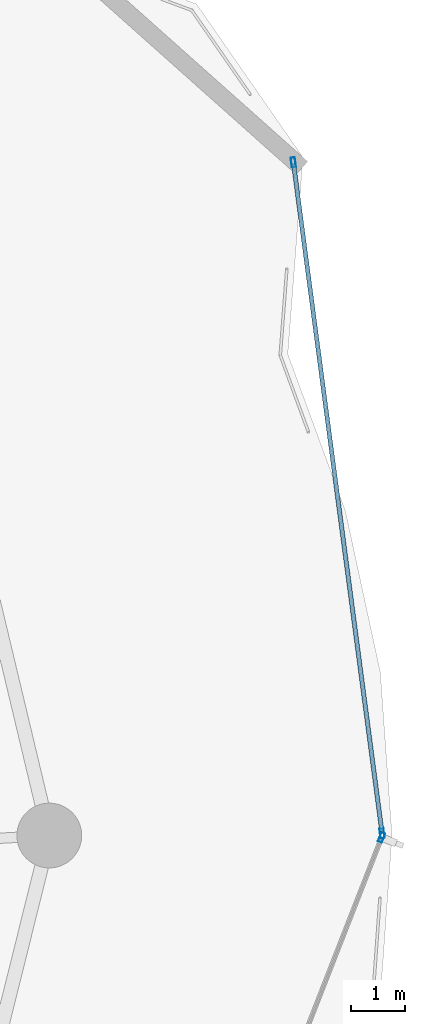
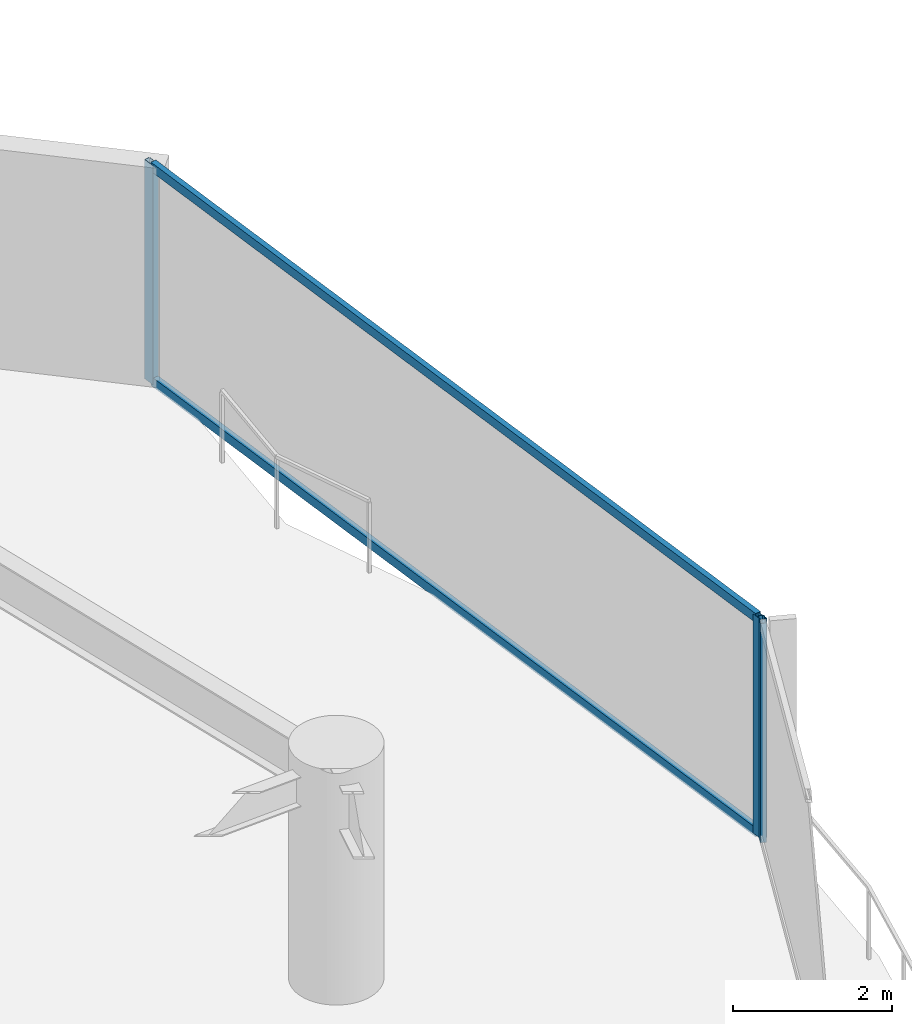
# One storey, part 24 of 33: 5 members, 2 elements without a shape of their own.
"""IFC4 building model written with IfcOpenShell, lengths in metres."""

from ifc_helpers import new_model, si_unit, direction, frame, origin, origin_2d, place, context, subcontext, project, spatial, hollow_rectangle, extrude, material, layer, layer_set, material_profile, profile_set, type_object, element, aggregate, save


model = new_model("IFC4")

# Units and contexts
model_context = context("Model", 3, precision=1e-05, world=origin(), true_north=direction((0.0, 1.0)))
body_context = subcontext(model_context, "Body", "Model", "MODEL_VIEW")
ifc_project = project(units=[si_unit("LENGTHUNIT", "METRE"), si_unit("AREAUNIT", "SQUARE_METRE"), si_unit("VOLUMEUNIT", "CUBIC_METRE"), si_unit("PLANEANGLEUNIT", "RADIAN"), si_unit("MASSUNIT", "GRAM", prefix="KILO")], contexts=[model_context])

# Site, building, storey
site_placement = place(None, origin())
site = spatial("IfcSite", under=ifc_project, at=site_placement, CompositionType="ELEMENT")
building_placement = place(site_placement, origin())
building = spatial("IfcBuilding", under=site, at=building_placement, Name="Kazevale Care Tower and Concert Hall", CompositionType="ELEMENT")
storey_placement = place(building_placement, frame((0.0, 0.0, 149.39990234375)))
storey = spatial("IfcBuildingStorey", under=building, at=storey_placement, Name="L39", CompositionType="ELEMENT", Elevation=149.39990234375)

# Curtain wall, member
ifc_material_1 = material(Name="Aluminium 6063-T6 and Low-E Glass", Category="aluminium")
ifc_layer = layer(ifc_material_1, 0.179931640625)
ifc_layer_set = layer_set([ifc_layer], Name="Aluminium 6063-T6 and Low-E Glass")
curtain_wall_type = type_object("IfcCurtainWallType", Name="Waist & Upper Residential Curtain Wall CW-4", PredefinedType="NOTDEFINED", material=ifc_layer_set)
curtain_wall_1_placement = place(storey_placement, origin())
curtain_wall_1 = element("IfcCurtainWall", 1, at=curtain_wall_1_placement, inside=storey, type_object=curtain_wall_type, Name="cw:L39:f01", PredefinedType="NOTDEFINED")
ifc_material_2 = material(Name="Aluminium 6063-T6", Category="aluminium")
ifc_material_profile_1 = material_profile(ifc_material_2, hollow_rectangle(XDim=0.080078125, YDim=0.179931640625, WallThickness=0.0048828125, at=origin_2d()), Name="ALU80x180x5")
ifc_profile_set_1 = profile_set([ifc_material_profile_1], Name="Aluminium 6063-T6")
member_type_1 = type_object("IfcMemberType", Name="CW-4 Mullion ALU80x180x5", PredefinedType="MULLION", material=ifc_profile_set_1)
member_1_placement = place(storey_placement, frame((79.205322265625, 37.962646484375, 0.0), z_axis=(0.0, 0.0, 1.0), x_axis=(0.931351746651, -0.36412075471, 0.0)))
member_1 = element("IfcMember", 2, at=member_1_placement, type_object=member_type_1, Name="CW-4 mullion 1", PredefinedType="MULLION", context=body_context, shape_type="SweptSolid", body=[
    extrude(hollow_rectangle(XDim=0.080078125, YDim=0.179931640625, WallThickness=0.0048828125, at=origin_2d()), origin(), (0.0, 0.0, 1.0), 3.360107421875),
])
aggregate(curtain_wall_1, [member_1])

# Curtain wall, members
curtain_wall_2_placement = place(storey_placement, origin())
curtain_wall_2 = element("IfcCurtainWall", 3, at=curtain_wall_2_placement, inside=storey, type_object=curtain_wall_type, Name="cw:L39:f18", PredefinedType="NOTDEFINED")
member_2_placement = place(storey_placement, frame((77.5712890625, 50.471435546875, 0.0), z_axis=(0.0, 0.0, 1.0), x_axis=(0.991374005382, 0.131063272711, 0.0)))
member_2 = element("IfcMember", 4, at=member_2_placement, type_object=member_type_1, Name="CW-4 mullion 1", PredefinedType="MULLION", context=body_context, shape_type="SweptSolid", body=[
    extrude(hollow_rectangle(XDim=0.080078125, YDim=0.179931640625, WallThickness=0.0048828125, at=origin_2d()), origin(), (0.0, 0.0, 1.0), 3.360107421875),
])
member_3_placement = place(storey_placement, frame((79.21484375, 38.03955078125, 0.0), z_axis=(0.0, 0.0, 1.0), x_axis=(0.991374005382, 0.131063272711, 0.0)))
member_3 = element("IfcMember", 5, at=member_3_placement, type_object=member_type_1, Name="CW-4 mullion 2", PredefinedType="MULLION", context=body_context, shape_type="SweptSolid", body=[
    extrude(hollow_rectangle(XDim=0.080078125, YDim=0.179931640625, WallThickness=0.0048828125, at=origin_2d()), origin(), (0.0, 0.0, 1.0), 3.360107421875),
])
ifc_material_profile_2 = material_profile(ifc_material_2, hollow_rectangle(XDim=0.080078125, YDim=0.139892578125, WallThickness=0.00390625, at=origin_2d()), Name="ALU80x140x4")
ifc_profile_set_2 = profile_set([ifc_material_profile_2], Name="Aluminium 6063-T6")
member_type_2 = type_object("IfcMemberType", Name="CW-4 Transom ALU80x140x4", PredefinedType="USERDEFINED", material=ifc_profile_set_2)
member_4_placement = place(storey_placement, frame((77.576416015625, 50.431640625, 0.0400390625), z_axis=(0.131066272735, -0.991373608763, 0.0), x_axis=(0.991373608763, 0.131066272735, 0.0)))
member_4 = element("IfcMember", 6, at=member_4_placement, type_object=member_type_2, Name="CW-4 transom 1.1", ObjectType="TRANSOM", PredefinedType="USERDEFINED", context=body_context, shape_type="SweptSolid", body=[
    extrude(hollow_rectangle(XDim=0.080078125, YDim=0.139892578125, WallThickness=0.00390625, at=origin_2d()), origin(), (0.0, 0.0, 1.0), 12.459716796875),
])
member_5_placement = place(storey_placement, frame((77.576416015625, 50.431640625, 3.320068359375), z_axis=(0.131066272735, -0.991373608763, 0.0), x_axis=(0.991373608763, 0.131066272735, 0.0)))
member_5 = element("IfcMember", 7, at=member_5_placement, type_object=member_type_2, Name="CW-4 transom 1.2", ObjectType="TRANSOM", PredefinedType="USERDEFINED", context=body_context, shape_type="SweptSolid", body=[
    extrude(hollow_rectangle(XDim=0.080078125, YDim=0.139892578125, WallThickness=0.00390625, at=origin_2d()), origin(), (0.0, 0.0, 1.0), 12.459716796875),
])
aggregate(curtain_wall_2, [member_2, member_3, member_4, member_5])

save(model, "model.ifc")
